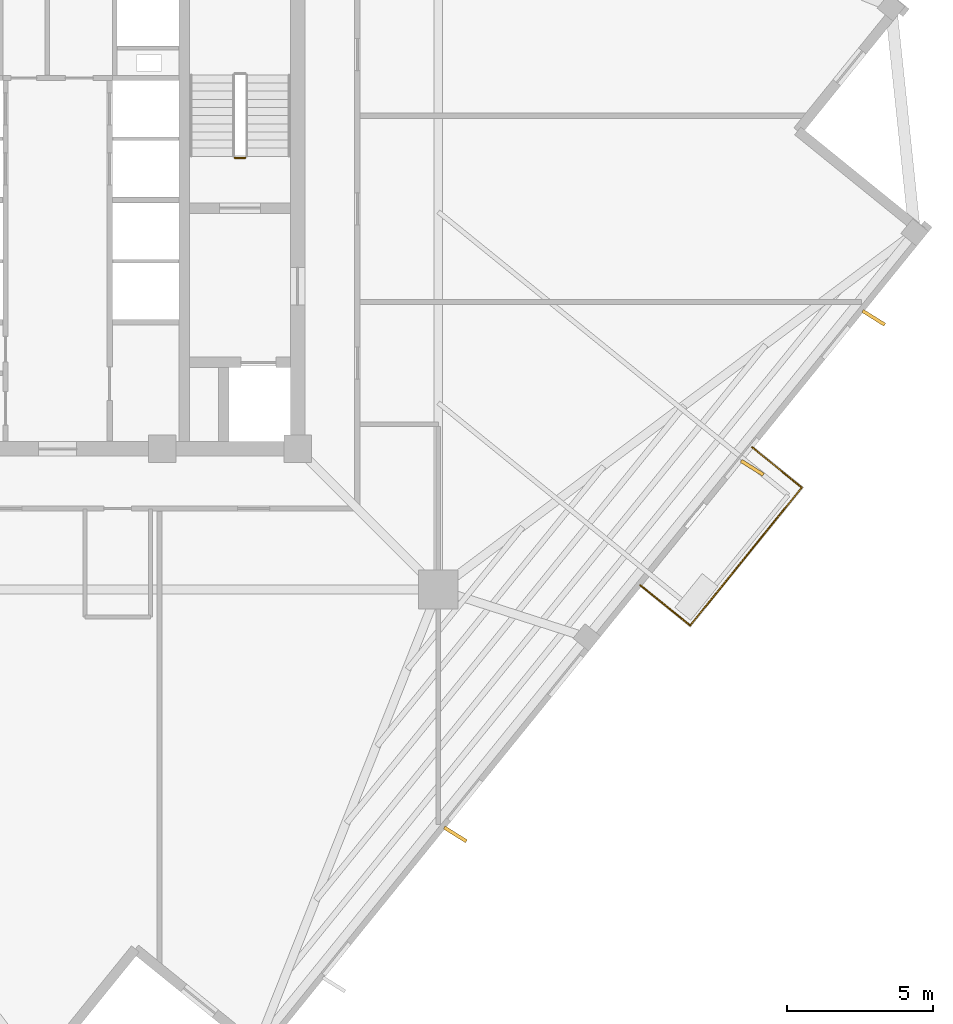
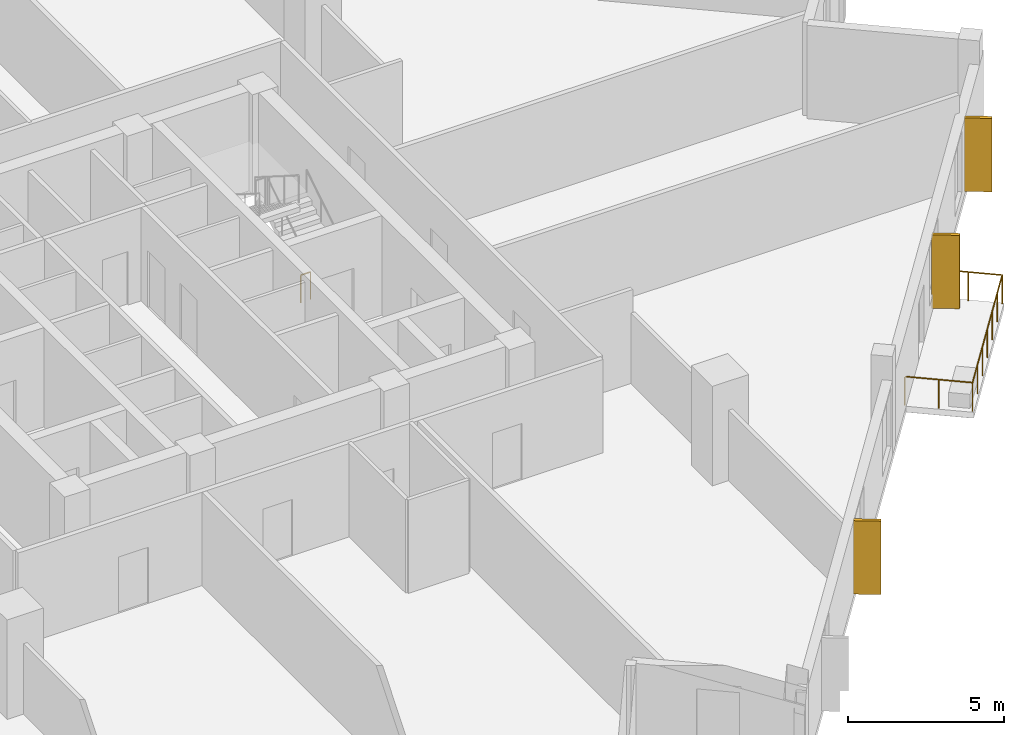
# One storey, part 7 of 9: 4 railings, 3 coverings.
"""IFC4 building model written with IfcOpenShell, lengths in metres."""

from ifc_helpers import new_model, si_unit, direction, frame, origin, origin_2d, place, context, subcontext, project, spatial, rectangle, circle, extrude, source, transform, mapped, material, layer, layer_set, type_object, element, save


model = new_model("IFC4")

# Units and contexts
model_context = context("Model", 3, precision=1e-05, world=origin(), true_north=direction((0.0, 1.0)))
body_context = subcontext(model_context, "Body", "Model", "MODEL_VIEW")
ifc_project = project(units=[si_unit("LENGTHUNIT", "METRE"), si_unit("AREAUNIT", "SQUARE_METRE"), si_unit("VOLUMEUNIT", "CUBIC_METRE"), si_unit("PLANEANGLEUNIT", "RADIAN"), si_unit("MASSUNIT", "GRAM", prefix="KILO"), si_unit("THERMODYNAMICTEMPERATUREUNIT", "KELVIN")], contexts=[model_context])

# Site, building, storey
site_placement = place(None, origin())
site = spatial("IfcSite", under=ifc_project, at=site_placement, CompositionType="ELEMENT")
building_placement = place(site_placement, origin())
building = spatial("IfcBuilding", under=site, at=building_placement, Name="Kosmvard Interchange Tower", CompositionType="ELEMENT")
storey_placement = place(building_placement, frame((0.0, 0.0, 232.89990234375)))
storey = spatial("IfcBuildingStorey", under=building, at=storey_placement, Name="L56", CompositionType="ELEMENT", Elevation=232.89990234375)

# Railings
ifc_material_1 = material(Name="Steel S355", Category="steel")
railing_type_1 = type_object("IfcRailingType", Name="Observation & Balcony Glass-Infill Balustrade 1150", PredefinedType="BALUSTRADE", material=ifc_material_1)
shared_shape_1 = source(origin(), body_context, "Body", "SweptSolid", [
    extrude(circle(Radius=0.02392578125, at=origin_2d()), frame((0.0, 0.0, 1.1259765625), z_axis=(0.777141488432, -0.629325914736, 0.0), x_axis=(0.629325914736, 0.777141488432, 0.0)), (0.0, 0.0, 1.0), 2.199951171875),
    extrude(circle(Radius=0.02099609375, at=origin_2d()), origin(), (0.0, 0.0, 1.0), 1.101806640625),
    extrude(circle(Radius=0.02099609375, at=origin_2d()), frame((0.85498046875, -0.6923828125, 0.0)), (0.0, 0.0, 1.0), 1.101806640625),
    extrude(circle(Radius=0.02099609375, at=origin_2d()), frame((1.709716796875, -1.384521484375, 0.0)), (0.0, 0.0, 1.0), 1.101806640625),
])
railing_1_placement = place(storey_placement, frame((20.023193359375, -12.93310546875, 0.0)))
element("IfcRailing", 1, at=railing_1_placement, inside=storey, type_object=railing_type_1, Name="L56 Outdoor Terrace Guard BAL-L56-SW-A", PredefinedType="BALUSTRADE", context=body_context, shape_type="MappedRepresentation", body=[
    mapped(shared_shape_1, transform((0.0, 0.0, 0.0), scale=1.0)),
])
shared_shape_2 = source(origin(), body_context, "Body", "SweptSolid", [
    extrude(circle(Radius=0.02392578125, at=origin_2d()), frame((0.0, 0.0, 1.1259765625), z_axis=(-0.777141488432, 0.629325914736, 0.0), x_axis=(-0.629325914736, -0.777141488432, 0.0)), (0.0, 0.0, 1.0), 2.199951171875),
    extrude(circle(Radius=0.02099609375, at=origin_2d()), origin(), (0.0, 0.0, 1.0), 1.101806640625),
    extrude(circle(Radius=0.02099609375, at=origin_2d()), frame((-0.85498046875, 0.6923828125, 0.0)), (0.0, 0.0, 1.0), 1.101806640625),
    extrude(circle(Radius=0.02099609375, at=origin_2d()), frame((-1.709716796875, 1.384521484375, 0.0)), (0.0, 0.0, 1.0), 1.101806640625),
])
railing_2_placement = place(storey_placement, frame((25.57177734375, -9.5771484375, 0.0)))
element("IfcRailing", 2, at=railing_2_placement, inside=storey, type_object=railing_type_1, Name="L56 Outdoor Terrace Guard BAL-L56-SW-C", PredefinedType="BALUSTRADE", context=body_context, shape_type="MappedRepresentation", body=[
    mapped(shared_shape_2, transform((0.0, 0.0, 0.0), scale=1.0)),
])

# Coverings
ifc_material_2 = material(Name="Architectural anodised aluminium", Category="aluminium")
ifc_layer = layer(ifc_material_2, 0.1201171875, Name="Architectural anodised aluminium")
ifc_layer_set = layer_set([ifc_layer], Name="Architectural anodised aluminium")
covering_type = type_object("IfcCoveringType", Name="Rotating Vertical Sun-Breaker Fin 900x120 Aluminium", PredefinedType="CLADDING", material=ifc_layer_set)
shared_shape_3 = source(origin(), body_context, "Body", "SweptSolid", [
    extrude(rectangle(XDim=0.89990234375, YDim=0.1201171875, at=origin_2d()), origin(), (0.0, 0.0, 1.0), 2.8798828125),
])
for number, where, z_axis, x_axis, name in (
    (3, (13.66748046875, -21.49658203125, 0.0400390625), (0.0, 0.0, 1.0), (0.847955594881, -0.530067268476, 0.0), "L56 Rotating Vertical Sun-Breaker Fin 02"),
    (4, (23.86865234375, -8.8994140625, 0.0400390625), (0.0, 0.0, 1.0), (0.847955594881, -0.530067268476, 0.0), "L56 Rotating Vertical Sun-Breaker Fin 03"),
    (5, (28.041748046875, -3.74609375, 0.0400390625), (0.0, 0.0, 1.0), (0.847955594881, -0.530067268476, 0.0), "L56 Rotating Vertical Sun-Breaker Fin 04"),
):
    element("IfcCovering", number, at=place(storey_placement, frame(where, z_axis=z_axis, x_axis=x_axis)), inside=storey, type_object=covering_type, Name=name, PredefinedType="CLADDING", context=body_context, shape_type="MappedRepresentation", body=[
        mapped(shared_shape_3, transform((0.0, 0.0, 0.0), scale=1.0)),
    ])

# Railings
shared_shape_4 = source(origin(), body_context, "Body", "SweptSolid", [
    extrude(circle(Radius=0.02392578125, at=origin_2d()), frame((0.0, 0.0, 1.1259765625), z_axis=(0.629330626282, 0.777137673017, 0.0), x_axis=(-0.777137673017, 0.629330626282, 0.0)), (0.0, 0.0, 1.0), 6.099853515625),
    extrude(circle(Radius=0.02099609375, at=origin_2d()), origin(), (0.0, 0.0, 1.0), 1.101806640625),
    extrude(circle(Radius=0.02099609375, at=origin_2d()), frame((0.639892578125, 0.7900390625, 0.0)), (0.0, 0.0, 1.0), 1.101806640625),
    extrude(circle(Radius=0.02099609375, at=origin_2d()), frame((1.279541015625, 1.580078125, 0.0)), (0.0, 0.0, 1.0), 1.101806640625),
    extrude(circle(Radius=0.02099609375, at=origin_2d()), frame((1.91943359375, 2.3701171875, 0.0)), (0.0, 0.0, 1.0), 1.101806640625),
    extrude(circle(Radius=0.02099609375, at=origin_2d()), frame((2.559326171875, 3.160400390625, 0.0)), (0.0, 0.0, 1.0), 1.101806640625),
    extrude(circle(Radius=0.02099609375, at=origin_2d()), frame((3.198974609375, 3.950439453125, 0.0)), (0.0, 0.0, 1.0), 1.101806640625),
    extrude(circle(Radius=0.02099609375, at=origin_2d()), frame((3.8388671875, 4.740478515625, 0.0)), (0.0, 0.0, 1.0), 1.101806640625),
])
railing_3_placement = place(storey_placement, frame((21.73291015625, -14.317626953125, 0.0)))
element("IfcRailing", 6, at=railing_3_placement, inside=storey, type_object=railing_type_1, Name="L56 Outdoor Terrace Guard BAL-L56-SW-B", PredefinedType="BALUSTRADE", context=body_context, shape_type="MappedRepresentation", body=[
    mapped(shared_shape_4, transform((0.0, 0.0, 0.0), scale=1.0)),
])
railing_type_2 = type_object("IfcRailingType", Name="Stair & Terrace Safety Guardrail 1100 Steel", PredefinedType="GUARDRAIL", material=ifc_material_1)
shared_shape_5 = source(origin(), body_context, "Body", "SweptSolid", [
    extrude(circle(Radius=0.02392578125, at=origin_2d()), frame((0.0, 0.0, 1.076171875), z_axis=(-1.0, 0.0, 0.0), x_axis=(0.0, -1.0, 0.0)), (0.0, 0.0, 1.0), 0.35986328125),
    extrude(circle(Radius=0.02099609375, at=origin_2d()), origin(), (0.0, 0.0, 1.0), 1.052001953125),
    extrude(circle(Radius=0.02099609375, at=origin_2d()), frame((-0.35986328125, 0.0, 0.0)), (0.0, 0.0, 1.0), 1.052001953125),
])
railing_4_placement = place(storey_placement, frame((6.449951171875, 1.75, 0.0)))
element("IfcRailing", 7, at=railing_4_placement, inside=storey, type_object=railing_type_2, Name="L56 ST-2 stair guard 4", PredefinedType="GUARDRAIL", context=body_context, shape_type="MappedRepresentation", body=[
    mapped(shared_shape_5, transform((0.0, 0.0, 0.0), scale=1.0)),
])

save(model, "model.ifc")
